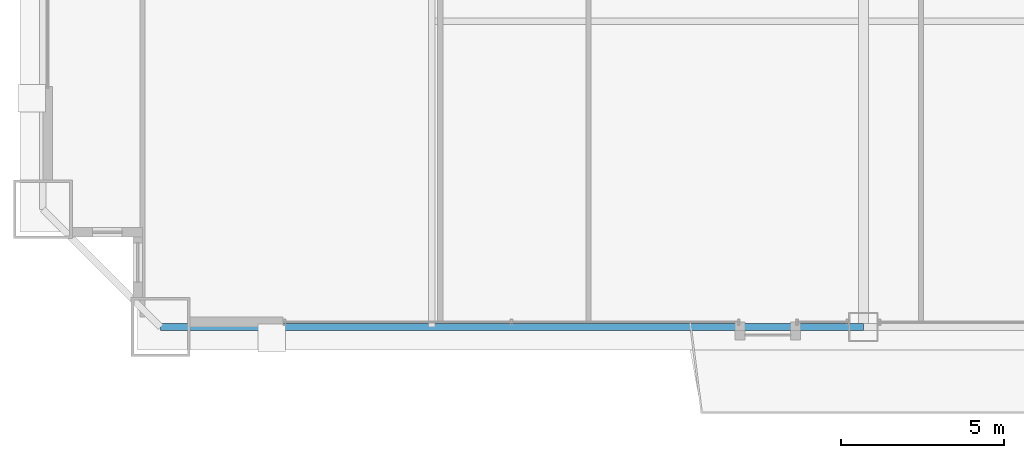
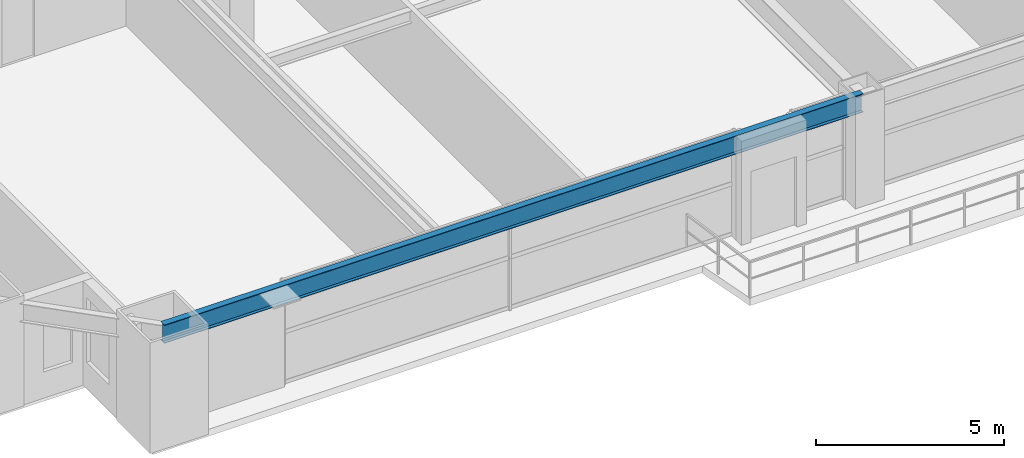
# One storey, part 4 of 43: 1 beam.
"""IFC4 building model written with IfcOpenShell, lengths in metres."""

from ifc_helpers import new_model, si_unit, direction, frame, origin, origin_2d, place, context, subcontext, project, spatial, i_section, extrude, source, transform, mapped, material, material_profile, profile_set, type_object, element, save


model = new_model("IFC4")

# Units and contexts
model_context = context("Model", 3, precision=1e-05, world=origin(), true_north=direction((0.0, 1.0)))
body_context = subcontext(model_context, "Body", "Model", "MODEL_VIEW")
ifc_project = project(units=[si_unit("LENGTHUNIT", "METRE"), si_unit("AREAUNIT", "SQUARE_METRE"), si_unit("VOLUMEUNIT", "CUBIC_METRE"), si_unit("PLANEANGLEUNIT", "RADIAN"), si_unit("MASSUNIT", "GRAM", prefix="KILO"), si_unit("THERMODYNAMICTEMPERATUREUNIT", "KELVIN"), si_unit("POWERUNIT", "WATT")], contexts=[model_context])

# Site, building, storey
site_placement = place(None, origin())
site = spatial("IfcSite", under=ifc_project, at=site_placement, CompositionType="ELEMENT")
building_placement = place(site_placement, origin())
building = spatial("IfcBuilding", under=site, at=building_placement, Name="Yuzanri Waterfront Tower", CompositionType="ELEMENT")
storey_placement = place(building_placement, frame((0.0, 0.0, 71.199951171875)))
storey = spatial("IfcBuildingStorey", under=building, at=storey_placement, Name="L18", CompositionType="ELEMENT", Elevation=71.199951171875)

# Beam
ifc_material = material(Name="Steel Q355B", Category="steel")
ifc_material_profile = material_profile(ifc_material, i_section(OverallWidth=0.199951171875, OverallDepth=0.60009765625, WebThickness=0.010986328125, FlangeThickness=0.01708984375, at=origin_2d()), Name="HN 600x200x11x17")
ifc_profile_set = profile_set([ifc_material_profile], Name="Steel Q355B")
beam_type = type_object("IfcBeamType", Name="Perimeter Spandrel Q355B HN 600x200", PredefinedType="SPANDREL", material=ifc_profile_set)
shared_shape = source(origin(), body_context, "Body", "SweptSolid", [
    extrude(i_section(OverallWidth=0.199951171875, OverallDepth=0.60009765625, WebThickness=0.010986328125, FlangeThickness=0.01708984375, at=origin_2d()), origin(), (0.0, 0.0, 1.0), 21.5),
])
beam_placement = place(storey_placement, frame((15.5, 0.699951171875, 3.080078125), z_axis=(1.0, 0.0, 0.0), x_axis=(0.0, 1.0, 0.0)))
element("IfcBeam", 1, at=beam_placement, inside=storey, type_object=beam_type, Name="L18 Perimeter Spandrel S1-S2", PredefinedType="SPANDREL", context=body_context, shape_type="MappedRepresentation", body=[
    mapped(shared_shape, transform((0.0, 0.0, 0.0), scale=1.0)),
])

save(model, "model.ifc")
